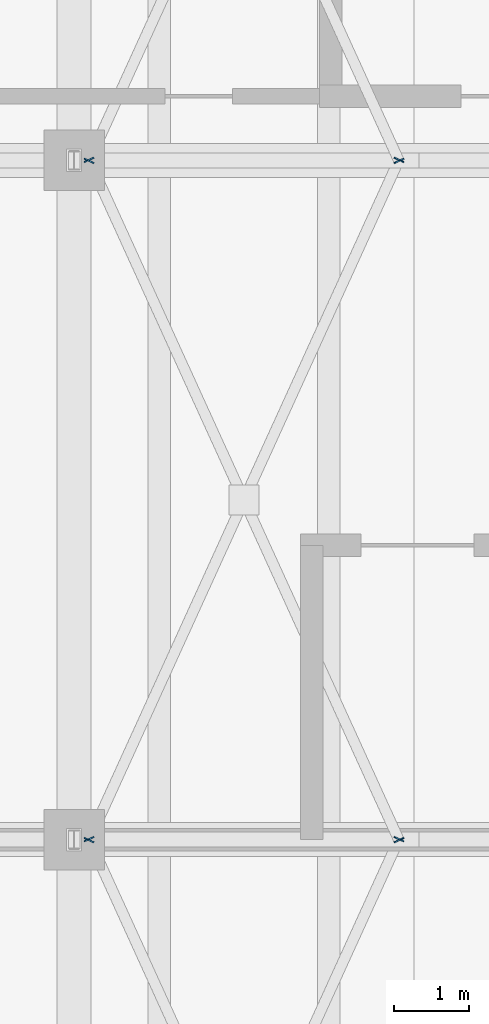
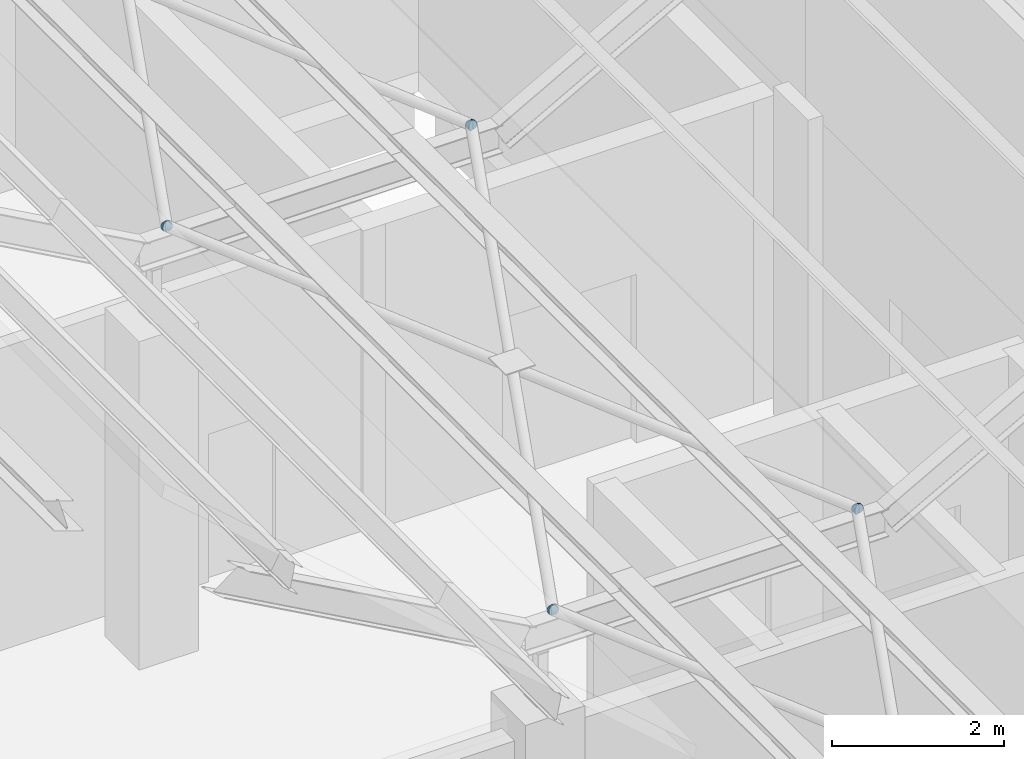
# One storey, part 261 of 437: 8 plates.
"""IFC4 building model written with IfcOpenShell, lengths in metres."""

from ifc_helpers import new_model, si_unit, direction, frame, origin, place, context, subcontext, project, spatial, polyline, outline, extrude, material, layer, layer_set, type_object, element, save


model = new_model("IFC4")

# Units and contexts
model_context = context("Model", 3, precision=1e-05, world=origin(), true_north=direction((0.0, 1.0)))
body_context = subcontext(model_context, "Body", "Model", "MODEL_VIEW")
ifc_project = project(units=[si_unit("LENGTHUNIT", "METRE"), si_unit("AREAUNIT", "SQUARE_METRE"), si_unit("VOLUMEUNIT", "CUBIC_METRE"), si_unit("PLANEANGLEUNIT", "RADIAN"), si_unit("MASSUNIT", "GRAM", prefix="KILO")], contexts=[model_context])

# Site, building, storey
site_placement = place(None, origin())
site = spatial("IfcSite", under=ifc_project, at=site_placement, CompositionType="ELEMENT")
building_placement = place(site_placement, origin())
building = spatial("IfcBuilding", under=site, at=building_placement, Name="Opaline Strait Convention Centre", CompositionType="ELEMENT")
storey_placement = place(building_placement, frame((0.0, 0.0, 11.5)))
storey = spatial("IfcBuildingStorey", under=building, at=storey_placement, Name="L02", CompositionType="ELEMENT", Elevation=11.5)

# Plates
ifc_material = material(Name="Steel Q355B", Category="steel")
ifc_layer = layer(ifc_material, 0.014892578125)
ifc_layer_set = layer_set([ifc_layer], Name="Steel Q355B")
plate_type = type_object("IfcPlateType", Name="Brace end plate 15 Q355B", PredefinedType="SHEET", material=ifc_layer_set)
plate_1_placement = place(storey_placement, frame((76.369873046875, 80.984619140625, 5.8701171875), z_axis=(0.414836562991, 0.909895942406, 0.0), x_axis=(-0.177910529408, 0.08111234384, -0.980698032629)))
element("IfcPlate", 1, at=plate_1_placement, inside=storey, type_object=plate_type, Name="Brace end plate 8-72-1 B", PredefinedType="SHEET", context=body_context, shape_type="SweptSolid", body=[
    extrude(outline(polyline([(0.0, 0.0), (0.027384034490214523, 0.0), (0.05259810373367019, 0.01034279223465002), (0.07188715209514629, 0.02967508543352096), (0.08240902159594816, 0.054979246310342914), (0.08237624613104702, 0.08228448671060286), (0.07195256152583068, 0.1074175665672149), (0.05267641506137637, 0.1268571903509166), (0.027386238814677905, 0.13735920588947814), (0.00024163255508571554, 0.13731146945521194), (-0.025015871876213673, 0.12675082244502134), (-0.04428128786816646, 0.10753706043741668), (-0.054783354550647916, 0.08233222314486904), (-0.05477038190406719, 0.054927659160334784), (-0.04437032966837416, 0.029676048112456443), (-0.025050748016076124, 0.010454279104295326), (0.0, 0.0)])), origin(), (0.0, 0.0, -1.0), 0.014892578125),
])
plate_2_placement = place(storey_placement, frame((72.257568359375, 81.042724609375, 5.8701171875), z_axis=(-0.414836562991, 0.909895942406, 0.0), x_axis=(-0.177910529408, -0.08111234384, -0.980698032629)))
element("IfcPlate", 2, at=plate_2_placement, inside=storey, type_object=plate_type, Name="Brace end plate 8-72-3 B", PredefinedType="SHEET", context=body_context, shape_type="SweptSolid", body=[
    extrude(outline(polyline([(0.0, 0.0), (0.027384034490214523, 0.0), (0.0526415389215139, 0.010560647010190617), (0.0719069549134667, 0.029774409017795267), (0.08240902159594816, 0.054979246310342914), (0.08239604894936743, 0.08238381029487717), (0.07199599671367439, 0.10763542134275551), (0.05267641506137637, 0.1268571903509166), (0.027386238814677905, 0.13735920588947814), (0.00024163255508571554, 0.13731146945521194), (-0.02497243668836996, 0.12696867722056193), (-0.04426148504984605, 0.10763638402169098), (-0.054783354550647916, 0.08233222314486904), (-0.05475057908574677, 0.05502698274460909), (-0.04432689448053045, 0.029893902887997044), (-0.025050748016076124, 0.010454279104295326), (0.0, 0.0)])), origin(), (0.0, 0.0, -1.0), 0.014892578125),
])
plate_3_placement = place(storey_placement, frame((72.263671875, 80.970947265625, 5.8701171875), z_axis=(0.415113120833, 0.909769804353, 0.0), x_axis=(-0.177885602626, 0.081166298666, -0.980698090311)))
element("IfcPlate", 3, at=plate_3_placement, inside=storey, type_object=plate_type, Name="Brace end plate 9-72-1 A", PredefinedType="SHEET", context=body_context, shape_type="SweptSolid", body=[
    extrude(outline(polyline([(0.0, 0.0), (0.027384032879565874, 8.673617379884035e-19), (0.05259810512352661, 0.010342830025946591), (0.07188713763616415, 0.029675078027945424), (0.08240900482074467, 0.0549792678324168), (0.082396029238314, 0.08238385763677121), (0.07195253030535285, 0.10741759014200784), (0.05267637813642449, 0.12685720839116532), (0.02738619718093451, 0.13735920839058052), (0.00024159254607343875, 0.13731147202694682), (-0.02501590880009087, 0.12675081741365854), (-0.044261512210524837, 0.10763639399900138), (-0.054783379395105344, 0.08233220419453002), (-0.054770403812674694, 0.0549276143901756), (-0.044370333981917115, 0.029676057297597293), (-0.02505075271078518, 0.010454263635781492), (0.0, 0.0)])), origin(), (0.0, 0.0, -1.0), 0.014892578125),
])
plate_4_placement = place(storey_placement, frame((76.369873046875, 89.984619140625, 5.8701171875), z_axis=(0.414836562991, 0.909895942406, 0.0), x_axis=(-0.177910529408, 0.08111234384, -0.980698032629)))
element("IfcPlate", 4, at=plate_4_placement, inside=storey, type_object=plate_type, Name="Brace end plate 9-72-1 B", PredefinedType="SHEET", context=body_context, shape_type="SweptSolid", body=[
    extrude(outline(polyline([(0.0, 0.0), (0.027384034490214523, 0.0), (0.05259810373367019, 0.01034279223465002), (0.07188715209514629, 0.02967508543352096), (0.08240902159594816, 0.054979246310342914), (0.08237624613104702, 0.08228448671060286), (0.07195256152583068, 0.1074175665672149), (0.05267641506137637, 0.1268571903509166), (0.027386238814677905, 0.13735920588947814), (0.00024163255508571554, 0.13731146945521194), (-0.025015871876213673, 0.12675082244502134), (-0.04428128786816646, 0.10753706043741668), (-0.054783354550647916, 0.08233222314486904), (-0.05477038190406719, 0.054927659160334784), (-0.04437032966837416, 0.029676048112456443), (-0.025050748016076124, 0.010454279104295326), (0.0, 0.0)])), origin(), (0.0, 0.0, -1.0), 0.014892578125),
])
plate_5_placement = place(storey_placement, frame((76.36376953125, 81.029052734375, 5.8701171875), z_axis=(-0.415113120833, 0.909769804353, 0.0), x_axis=(-0.177885602626, -0.081166298666, -0.980698090311)))
element("IfcPlate", 5, at=plate_5_placement, inside=storey, type_object=plate_type, Name="Brace end plate 9-72-2 A", PredefinedType="SHEET", context=body_context, shape_type="SweptSolid", body=[
    extrude(outline(polyline([(0.0, 0.0), (0.027384032879565874, 8.673617379884035e-19), (0.052641534225730174, 0.010560654613288265), (0.07188713763616415, 0.029675078027945424), (0.08240900482074467, 0.0549792678324168), (0.082396029238314, 0.08238385763677121), (0.07199595940755642, 0.10763541472934952), (0.05267637813642449, 0.12685720839116532), (0.02738619718093451, 0.13735920839058052), (0.00024159254607343875, 0.13731147202694682), (-0.024972479697887306, 0.12696864200100022), (-0.044261512210524837, 0.10763639399900138), (-0.054783379395105344, 0.08233220419453002), (-0.054770403812674694, 0.0549276143901756), (-0.04432690487971355, 0.029893881884938966), (-0.02505075271078518, 0.010454263635781492), (0.0, 0.0)])), origin(), (0.0, 0.0, -1.0), 0.014892578125),
])
plate_6_placement = place(storey_placement, frame((72.257568359375, 90.042724609375, 5.8701171875), z_axis=(-0.414836562991, 0.909895942406, 0.0), x_axis=(-0.177910529408, -0.08111234384, -0.980698032629)))
element("IfcPlate", 6, at=plate_6_placement, inside=storey, type_object=plate_type, Name="Brace end plate 9-72-3 B", PredefinedType="SHEET", context=body_context, shape_type="SweptSolid", body=[
    extrude(outline(polyline([(0.0, 0.0), (0.027384034490214523, 0.0), (0.0526415389215139, 0.010560647010190617), (0.0719069549134667, 0.029774409017795267), (0.08240902159594816, 0.054979246310342914), (0.08239604894936743, 0.08238381029487717), (0.07199599671367439, 0.10763542134275551), (0.05267641506137637, 0.1268571903509166), (0.027386238814677905, 0.13735920588947814), (0.00024163255508571554, 0.13731146945521194), (-0.02497243668836996, 0.12696867722056193), (-0.04426148504984605, 0.10763638402169098), (-0.054783354550647916, 0.08233222314486904), (-0.05475057908574677, 0.05502698274460909), (-0.04432689448053045, 0.029893902887997044), (-0.025050748016076124, 0.010454279104295326), (0.0, 0.0)])), origin(), (0.0, 0.0, -1.0), 0.014892578125),
])
plate_7_placement = place(storey_placement, frame((72.263671875, 89.970947265625, 5.8701171875), z_axis=(0.415113120833, 0.909769804353, 0.0), x_axis=(-0.177885602626, 0.081166298666, -0.980698090311)))
element("IfcPlate", 7, at=plate_7_placement, inside=storey, type_object=plate_type, Name="Brace end plate 0-72-1 A", PredefinedType="SHEET", context=body_context, shape_type="SweptSolid", body=[
    extrude(outline(polyline([(0.0, 0.0), (0.027384032879565874, 8.673617379884035e-19), (0.05259810512352661, 0.010342830025946591), (0.07188713763616415, 0.029675078027945424), (0.08240900482074467, 0.0549792678324168), (0.082396029238314, 0.08238385763677121), (0.07195253030535285, 0.10741759014200784), (0.05267637813642449, 0.12685720839116532), (0.02738619718093451, 0.13735920839058052), (0.00024159254607343875, 0.13731147202694682), (-0.02501590880009087, 0.12675081741365854), (-0.044261512210524837, 0.10763639399900138), (-0.054783379395105344, 0.08233220419453002), (-0.054770403812674694, 0.0549276143901756), (-0.044370333981917115, 0.029676057297597293), (-0.02505075271078518, 0.010454263635781492), (0.0, 0.0)])), origin(), (0.0, 0.0, -1.0), 0.014892578125),
])
plate_8_placement = place(storey_placement, frame((76.36376953125, 90.029052734375, 5.8701171875), z_axis=(-0.415113120833, 0.909769804353, 0.0), x_axis=(-0.177885602626, -0.081166298666, -0.980698090311)))
element("IfcPlate", 8, at=plate_8_placement, inside=storey, type_object=plate_type, Name="Brace end plate 0-72-2 A", PredefinedType="SHEET", context=body_context, shape_type="SweptSolid", body=[
    extrude(outline(polyline([(0.0, 0.0), (0.027384032879565874, 8.673617379884035e-19), (0.052641534225730174, 0.010560654613288265), (0.07188713763616415, 0.029675078027945424), (0.08240900482074467, 0.0549792678324168), (0.082396029238314, 0.08238385763677121), (0.07199595940755642, 0.10763541472934952), (0.05267637813642449, 0.12685720839116532), (0.02738619718093451, 0.13735920839058052), (0.00024159254607343875, 0.13731147202694682), (-0.024972479697887306, 0.12696864200100022), (-0.044261512210524837, 0.10763639399900138), (-0.054783379395105344, 0.08233220419453002), (-0.054770403812674694, 0.0549276143901756), (-0.04432690487971355, 0.029893881884938966), (-0.02505075271078518, 0.010454263635781492), (0.0, 0.0)])), origin(), (0.0, 0.0, -1.0), 0.014892578125),
])

save(model, "model.ifc")
